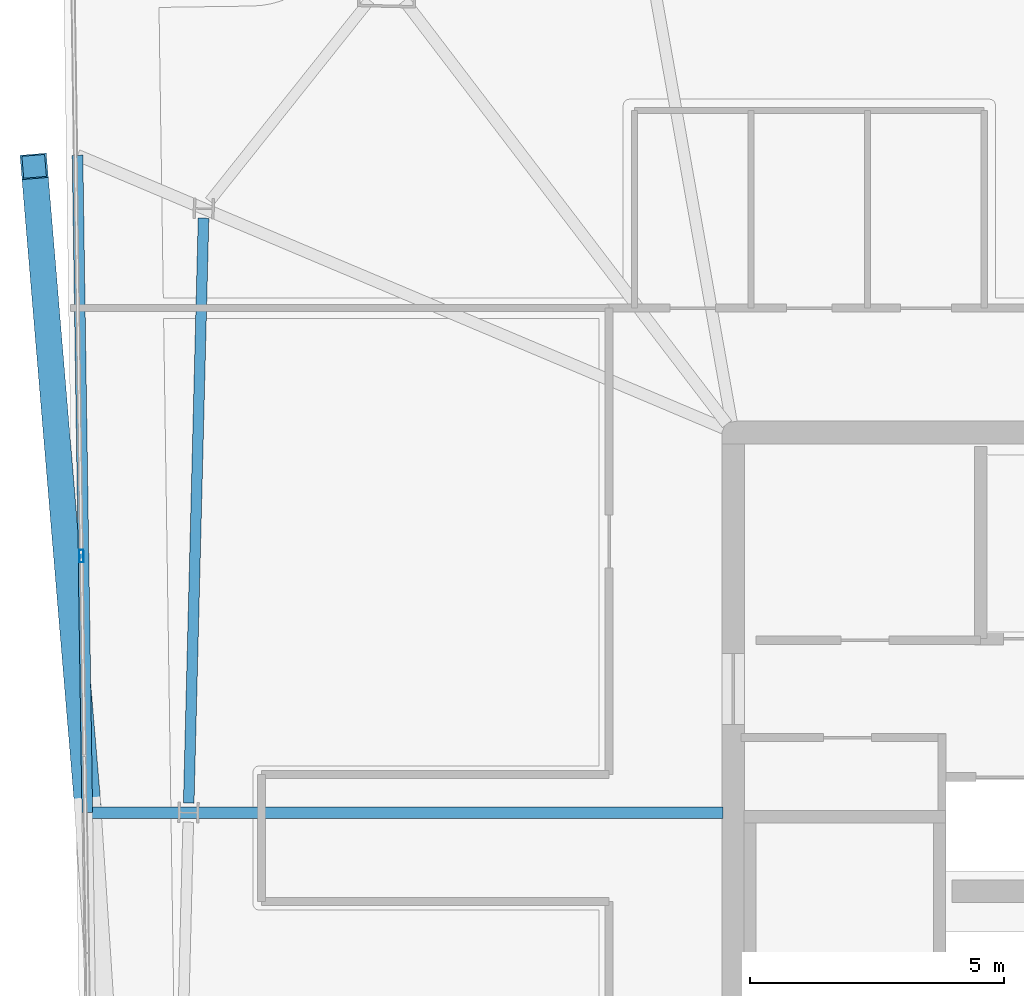
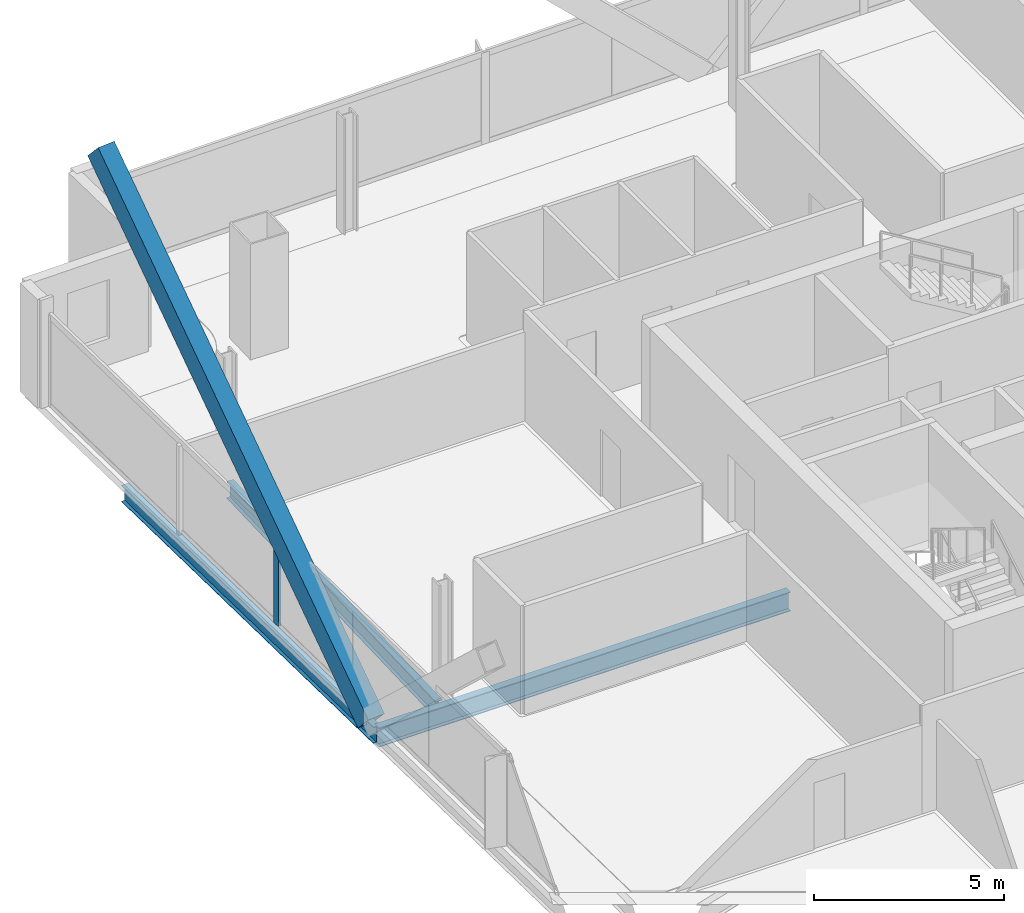
# One storey, part 8 of 25: 3 beams, 2 members, 1 element without a shape of its own.
"""IFC4 building model written with IfcOpenShell, lengths in metres."""

from ifc_helpers import new_model, si_unit, direction, frame, origin, origin_2d, place, context, subcontext, project, spatial, hollow_rectangle, i_section, extrude, material, material_profile, profile_set, type_object, element, aggregate, save


model = new_model("IFC4")

# Units and contexts
model_context = context("Model", 3, precision=1e-05, world=origin(), true_north=direction((0.0, 1.0)))
body_context = subcontext(model_context, "Body", "Model", "MODEL_VIEW")
ifc_project = project(units=[si_unit("LENGTHUNIT", "METRE"), si_unit("AREAUNIT", "SQUARE_METRE"), si_unit("VOLUMEUNIT", "CUBIC_METRE"), si_unit("PLANEANGLEUNIT", "RADIAN"), si_unit("MASSUNIT", "GRAM", prefix="KILO")], contexts=[model_context])

# Site, building, storey
site_placement = place(None, origin())
site = spatial("IfcSite", under=ifc_project, at=site_placement, CompositionType="ELEMENT")
building_placement = place(site_placement, origin())
building = spatial("IfcBuilding", under=site, at=building_placement, Name="Haldenkirk Collegiate Tower", CompositionType="ELEMENT")
storey_placement = place(building_placement, frame((0.0, 0.0, 332.699951171875)))
storey = spatial("IfcBuildingStorey", under=building, at=storey_placement, Name="L84", CompositionType="ELEMENT", Elevation=332.699951171875)

# Beams
ifc_material_1 = material(Name="Steel ASTM A992 Grade 50", Category="steel")
ifc_material_profile_1 = material_profile(ifc_material_1, i_section(OverallWidth=0.22998046875, OverallDepth=0.616943359375, WebThickness=0.01318359375, FlangeThickness=0.022216796875, at=origin_2d()), Name="W24X94")
ifc_profile_set_1 = profile_set([ifc_material_profile_1], Name="Steel ASTM A992 Grade 50")
beam_type_1 = type_object("IfcBeamType", Name="BM-GIRDER-W24X94", PredefinedType="BEAM", material=ifc_profile_set_1)
beam_1_placement = place(storey_placement, frame((14.26025390625, 26.499755859375, -0.568359375), z_axis=(1.0, 0.0, 0.0), x_axis=(0.0, 1.0, 0.0)))
element("IfcBeam", 1, at=beam_1_placement, inside=storey, type_object=beam_type_1, Name="L84 primary floor girder 12", PredefinedType="BEAM", context=body_context, shape_type="SweptSolid", body=[
    extrude(i_section(OverallWidth=0.22998046875, OverallDepth=0.616943359375, WebThickness=0.01318359375, FlangeThickness=0.022216796875, at=origin_2d()), origin(), (0.0, 0.0, 1.0), 12.53466796875),
])
ifc_material_profile_2 = material_profile(ifc_material_1, i_section(OverallWidth=0.2099609375, OverallDepth=0.537109375, WebThickness=0.010986328125, FlangeThickness=0.017333984375, at=origin_2d()), Name="W21X68")
ifc_profile_set_2 = profile_set([ifc_material_profile_2], Name="Steel ASTM A992 Grade 50")
beam_type_2 = type_object("IfcBeamType", Name="BM-SPANDREL-W21X68", PredefinedType="SPANDREL", material=ifc_profile_set_2)
beam_2_placement = place(storey_placement, frame((16.552978515625, 38.22412109375, -0.528564453125), z_axis=(-0.025302458902, -0.999679841536, 0.0), x_axis=(0.999679841536, -0.025302458902, 0.0)))
element("IfcBeam", 2, at=beam_2_placement, inside=storey, type_object=beam_type_2, Name="L84 perimeter spandrel beam 10", PredefinedType="SPANDREL", context=body_context, shape_type="SweptSolid", body=[
    extrude(i_section(OverallWidth=0.2099609375, OverallDepth=0.537109375, WebThickness=0.010986328125, FlangeThickness=0.017333984375, at=origin_2d()), origin(), (0.0, 0.0, 1.0), 11.5400390625),
])
beam_3_placement = place(storey_placement, frame((14.06787109375, 39.464111328125, -0.528564453125), z_axis=(0.014837732154, -0.999889914793, 0.0), x_axis=(0.999889914793, 0.014837732154, 0.0)))
element("IfcBeam", 3, at=beam_3_placement, inside=storey, type_object=beam_type_2, Name="L84 outer facade edge beam 3A", PredefinedType="SPANDREL", context=body_context, shape_type="SweptSolid", body=[
    extrude(i_section(OverallWidth=0.2099609375, OverallDepth=0.537109375, WebThickness=0.010986328125, FlangeThickness=0.017333984375, at=origin_2d()), origin(), (0.0, 0.0, 1.0), 12.9658203125),
])

# Curtain wall, member
ifc_material_2 = material(Name="Anodised architectural bronze aluminium", Category="aluminium")
curtain_wall_type = type_object("IfcCurtainWallType", Name="CW-SYS1B-CONVEX-HI", PredefinedType="USERDEFINED", material=ifc_material_2)
curtain_wall_placement = place(storey_placement, origin())
curtain_wall = element("IfcCurtainWall", 4, at=curtain_wall_placement, inside=storey, type_object=curtain_wall_type, Name="L84 Upper tower high-wind convex bronze unitised curtain wall", ObjectType="UNITISED CURTAIN WALL", PredefinedType="USERDEFINED")
ifc_material_profile_3 = material_profile(ifc_material_2, hollow_rectangle(XDim=0.0849609375, YDim=0.25, WallThickness=0.0048828125, at=origin_2d()), Name="CW-MUL-1B")
ifc_profile_set_3 = profile_set([ifc_material_profile_3], Name="Anodised architectural bronze aluminium")
member_type_1 = type_object("IfcMemberType", Name="CW-MUL-1B", PredefinedType="MULLION", material=ifc_profile_set_3)
member_1_placement = place(storey_placement, frame((14.14501953125, 31.559814453125, 0.0), z_axis=(0.0, 0.0, 1.0), x_axis=(-0.99988998696, -0.014832868138, 0.0)))
member_1 = element("IfcMember", 5, at=member_1_placement, type_object=member_type_1, Name="CW-1B mullion 3", PredefinedType="MULLION", context=body_context, shape_type="SweptSolid", body=[
    extrude(hollow_rectangle(XDim=0.0849609375, YDim=0.25, WallThickness=0.0048828125, at=origin_2d()), origin(), (0.0, 0.0, 1.0), 2.947998046875),
])
aggregate(curtain_wall, [member_1])

# Member
ifc_material_3 = material(Name="Steel ASTM A572 Grade 50", Category="steel")
ifc_material_profile_4 = material_profile(ifc_material_3, hollow_rectangle(XDim=0.52001953125, YDim=0.719970703125, WallThickness=0.035888671875, at=origin_2d()), Name="BOX720X520X36")
ifc_profile_set_4 = profile_set([ifc_material_profile_4], Name="Steel ASTM A572 Grade 50")
member_type_2 = type_object("IfcMemberType", Name="MBR-MEGABRACE-BOX720X520X36", PredefinedType="BRACE", material=ifc_profile_set_4)
member_2_placement = place(storey_placement, frame((14.255859375, 26.79248046875, -0.27001953125), z_axis=(-0.062040716009, 0.740626474053, 0.669046616828), x_axis=(-0.996509827771, -0.083475524291, 0.0)))
element("IfcMember", 6, at=member_2_placement, inside=storey, type_object=member_type_2, Name="Perimeter Mega Brace Z6 L84-L86 NL", PredefinedType="BRACE", context=body_context, shape_type="SweptSolid", body=[
    extrude(hollow_rectangle(XDim=0.52001953125, YDim=0.719970703125, WallThickness=0.035888671875, at=origin_2d()), origin(), (0.0, 0.0, 1.0), 16.81494140625),
])

save(model, "model.ifc")
